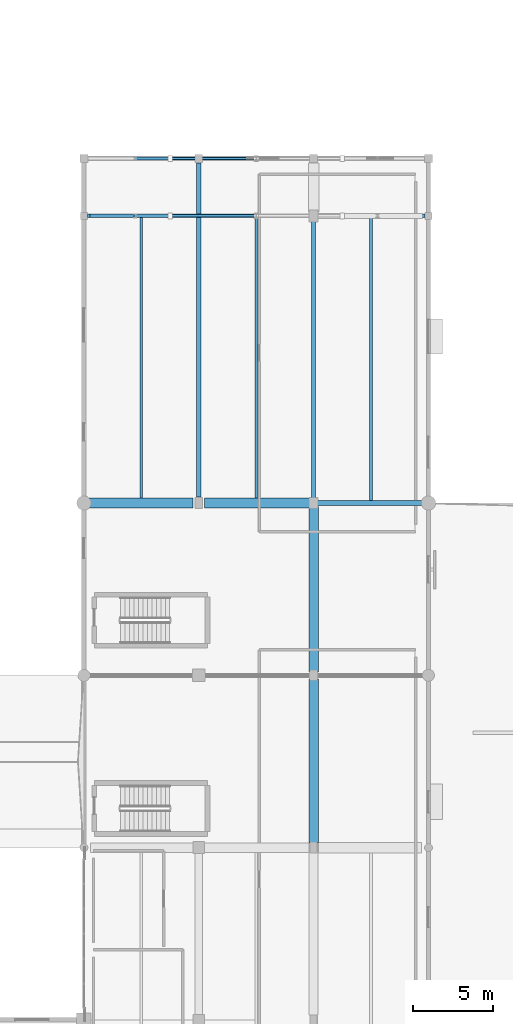
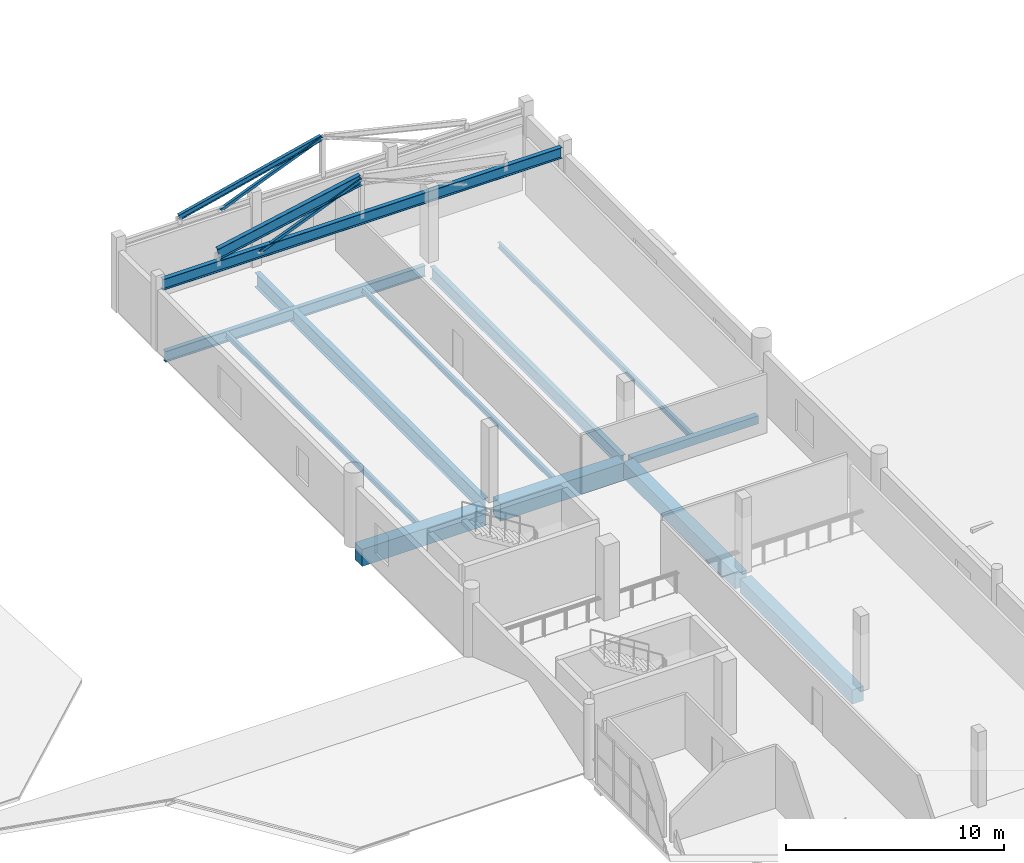
# One storey, part 37 of 90: 14 beams, 2 members.
"""IFC4 building model written with IfcOpenShell, lengths in metres."""

import ifcopenshell
import ifcopenshell.guid

model = None  # the IFC model being written
_history = None  # IfcOwnerHistory: only IFC2X3 demands one
_inside = {}  # id of a spatial element -> (the spatial element, [elements in it])
_under = {}  # id of a project, library or spatial element -> (it, [spatial elements below it])
_declared = {}  # id of a project -> (the project, [libraries it declares])
_typed = {}  # id of a type object -> (the type object, [elements of that type])
_made_of = {}  # id of a material, layer set ... -> (it, [elements and type objects made of it])


def new_model(schema):
    """Start an empty IFC model of exactly this schema.

    Asked for "IFC4X3", IfcOpenShell would pick the latest addendum, in which some entities
    have other attributes; the version numbers below select the first issue.
    IFC2X3 requires an IfcOwnerHistory on every rooted entity: one is made here for all.
    """
    global model, _history
    if schema == "IFC4X3":
        model = ifcopenshell.file(schema_version=(4, 3, 0, 0))
    else:
        model = ifcopenshell.file(schema=schema)
    _inside.clear()
    _under.clear()
    _declared.clear()
    _typed.clear()
    _made_of.clear()
    _history = None
    if model.schema == "IFC2X3":
        org = make("IfcOrganization", Name="unknown")
        user = make(
            "IfcPersonAndOrganization",
            ThePerson=make("IfcPerson", FamilyName="unknown"),
            TheOrganization=org,
        )
        app = make(
            "IfcApplication",
            ApplicationDeveloper=org,
            Version="unknown",
            ApplicationFullName="unknown",
            ApplicationIdentifier="unknown",
        )
        _history = make(
            "IfcOwnerHistory",
            OwningUser=user,
            OwningApplication=app,
            ChangeAction="ADDED",
            CreationDate=0,
        )
    return model


def make(cls, **values):
    """One entity of the class cls with the attributes given. An attribute that is None is left unset."""
    return model.create_entity(
        cls, **{name: value for name, value in values.items() if value is not None}
    )


def rooted(cls, **values):
    """An entity with a GlobalId (a new one), such as an element, a storey or a relation."""
    return make(cls, GlobalId=ifcopenshell.guid.new(), OwnerHistory=_history, **values)


def si_unit(unit_type, name, prefix=None):
    """IfcSIUnit, for example si_unit("LENGTHUNIT", "METRE", prefix="MILLI")."""
    return make("IfcSIUnit", UnitType=unit_type, Prefix=prefix, Name=name)


def assignment(units):
    """IfcUnitAssignment: the units of a project."""
    return None if units is None else make("IfcUnitAssignment", Units=units)


def point(xyz):
    """IfcCartesianPoint."""
    return None if xyz is None else make("IfcCartesianPoint", Coordinates=xyz)


def direction(xyz):
    """IfcDirection."""
    return None if xyz is None else make("IfcDirection", DirectionRatios=xyz)


def frame(location, z_axis=None, x_axis=None):
    """IfcAxis2Placement3D, a coordinate frame: its origin and axes. An axis left out is left unset."""
    return make(
        "IfcAxis2Placement3D",
        Location=point(location),
        Axis=direction(z_axis),
        RefDirection=direction(x_axis),
    )


def frame_2d(location, x_axis=None):
    """IfcAxis2Placement2D, a coordinate frame in the plane: its origin and x axis."""
    return make(
        "IfcAxis2Placement2D", Location=point(location), RefDirection=direction(x_axis)
    )


def origin():
    """The frame at (0, 0, 0) with its axes left unset."""
    return frame((0.0, 0.0, 0.0))


def origin_2d():
    """The frame at (0, 0) in the plane with its x axis left unset."""
    return frame_2d((0.0, 0.0))


def place(relative_to, where):
    """IfcLocalPlacement: puts the frame where relative to a parent placement (None: the world)."""
    return make(
        "IfcLocalPlacement", PlacementRelTo=relative_to, RelativePlacement=where
    )


def context(
    kind, dimensions, precision=None, world=None, true_north=None, identifier=None
):
    """IfcGeometricRepresentationContext, for example the 3D "Model" context."""
    return make(
        "IfcGeometricRepresentationContext",
        ContextIdentifier=identifier,
        ContextType=kind,
        CoordinateSpaceDimension=dimensions,
        Precision=precision,
        WorldCoordinateSystem=world,
        TrueNorth=true_north,
    )


def subcontext(parent, identifier, kind, view, scale=None):
    """IfcGeometricRepresentationSubContext, for example "Body" below "Model"."""
    return make(
        "IfcGeometricRepresentationSubContext",
        ContextIdentifier=identifier,
        ContextType=kind,
        ParentContext=parent,
        TargetScale=scale,
        TargetView=view,
    )


def project(units=None, contexts=None):
    """IfcProject with its units and contexts."""
    return rooted(
        "IfcProject",
        Name="project",
        RepresentationContexts=contexts,
        UnitsInContext=assignment(units),
    )


def spatial(cls, under=None, at=None, **own):
    """A site, building, storey or space (cls), placed at a placement, below another one or the project."""
    s = rooted(cls, ObjectPlacement=at, **own)
    if under is not None:
        _under.setdefault(under.id(), (under, []))[1].append(s)
    return s


def profile(cls, at=None, kind="AREA", **sizes):
    """A parametric profile (cls). Its sizes go by their IFC names, for example OverallWidth=200.0."""
    return make(cls, ProfileType=kind, Position=at, **sizes)


def rectangle(**sizes):
    """IfcRectangleProfileDef."""
    return profile("IfcRectangleProfileDef", **sizes)


def hollow_rectangle(**sizes):
    """IfcRectangleHollowProfileDef."""
    return profile("IfcRectangleHollowProfileDef", **sizes)


def i_section(**sizes):
    """IfcIShapeProfileDef."""
    return profile("IfcIShapeProfileDef", **sizes)


def extrude(swept, where, along, depth):
    """IfcExtrudedAreaSolid: the profile swept, set in the frame where, extruded along a direction by depth."""
    return make(
        "IfcExtrudedAreaSolid",
        SweptArea=swept,
        Position=where,
        ExtrudedDirection=direction(along),
        Depth=depth,
    )


def shape(context_of_items, identifier, shape_type, items):
    """IfcShapeRepresentation: the items that make up one representation, for example the "Body"."""
    return make(
        "IfcShapeRepresentation",
        ContextOfItems=context_of_items,
        RepresentationIdentifier=identifier,
        RepresentationType=shape_type,
        Items=items,
    )


def material(Name=None, Category=None):
    """IfcMaterial."""
    return make("IfcMaterial", Name=Name, Category=Category)


def material_profile(
    of_material, cross_section, Name=None, Category=None, Priority=None
):
    """IfcMaterialProfile: a cross section and its material."""
    return make(
        "IfcMaterialProfile",
        Name=Name,
        Material=of_material,
        Profile=cross_section,
        Priority=Priority,
        Category=Category,
    )


def profile_set(profiles, Name=None, composite=None):
    """IfcMaterialProfileSet."""
    return make(
        "IfcMaterialProfileSet",
        Name=Name,
        MaterialProfiles=profiles,
        CompositeProfile=composite,
    )


def made_of(thing, what):
    """Note that an element or type object is made of a material, layer set ...; save() writes the relation."""
    if what is not None:
        _made_of.setdefault(what.id(), (what, []))[1].append(thing)
    return thing


def type_object(cls, material=None, **own):
    """A type object (cls), such as IfcWallType, which elements share."""
    return made_of(rooted(cls, **own), material)


def element(
    cls,
    number,
    at=None,
    inside=None,
    cuts=None,
    type_object=None,
    material=None,
    context=None,
    identifier="Body",
    shape_type=None,
    held_by="IfcProductDefinitionShape",
    body=None,
    shapes=None,
    **own,
):
    """One element of the class cls, such as IfcWall. Its Tag is "e" and its number.

    at: its placement. inside: the storey or other place that contains it. cuts: it is an
    opening in that element (IfcRelVoidsElement). A single representation is given by context,
    identifier, shape_type and body (its items); several are given by shapes. held_by: the class
    of the entity that holds the representations. save() writes the other relations.
    """
    e = rooted(cls, Tag="e%d" % number, ObjectPlacement=at, **own)
    if body is not None:
        shapes = [shape(context, identifier, shape_type, body)]
    if shapes is not None:
        e.Representation = make(held_by, Representations=shapes)
    if inside is not None:
        _inside.setdefault(inside.id(), (inside, []))[1].append(e)
    if cuts is not None:
        rooted(
            "IfcRelVoidsElement", RelatingBuildingElement=cuts, RelatedOpeningElement=e
        )
    if type_object is not None:
        _typed.setdefault(type_object.id(), (type_object, []))[1].append(e)
    return made_of(e, material)


def aggregate(whole, parts):
    """IfcRelAggregates: a whole, such as a stair, and the parts it consists of."""
    return rooted("IfcRelAggregates", RelatingObject=whole, RelatedObjects=parts)


def save(model, path):
    """Write the relations noted so far, then the file.

    IfcRelAggregates (storeys below a building ...), IfcRelContainedInSpatialStructure (elements
    in a storey), IfcRelDefinesByType, IfcRelAssociatesMaterial and IfcRelDeclares: one each for
    every whole, place, type object, material and project.
    """
    for whole, parts in _under.values():
        aggregate(whole, parts)
    for where, things in _inside.values():
        rooted(
            "IfcRelContainedInSpatialStructure",
            RelatedElements=things,
            RelatingStructure=where,
        )
    for kind, things in _typed.values():
        rooted("IfcRelDefinesByType", RelatedObjects=things, RelatingType=kind)
    for what, things in _made_of.values():
        rooted("IfcRelAssociatesMaterial", RelatedObjects=things, RelatingMaterial=what)
    for by, libraries in _declared.values():
        rooted("IfcRelDeclares", RelatingContext=by, RelatedDefinitions=libraries)
    model.write(path)


model = new_model("IFC4")

# Units and contexts
model_context = context("Model", 3, precision=1e-05, world=origin(), true_north=direction((0.0, 1.0)))
body_context = subcontext(model_context, "Body", "Model", "MODEL_VIEW")
ifc_project = project(units=[si_unit("LENGTHUNIT", "METRE"), si_unit("AREAUNIT", "SQUARE_METRE"), si_unit("VOLUMEUNIT", "CUBIC_METRE"), si_unit("PLANEANGLEUNIT", "RADIAN"), si_unit("MASSUNIT", "GRAM", prefix="KILO")], contexts=[model_context])

# Site, building, storey
site_placement = place(None, origin())
site = spatial("IfcSite", under=ifc_project, at=site_placement, CompositionType="ELEMENT")
building_placement = place(site_placement, origin())
building = spatial("IfcBuilding", under=site, at=building_placement, Name="Solanera Park Tramway Depot", CompositionType="ELEMENT")
storey_placement = place(building_placement, frame((0.0, 0.0, 9.0)))
storey = spatial("IfcBuildingStorey", under=building, at=storey_placement, Name="L02", CompositionType="ELEMENT", Elevation=9.0)

# Beams
ifc_material_1 = material(Name="Concrete N40 (C40/50)", Category="concrete")
ifc_material_profile_1 = material_profile(ifc_material_1, rectangle(XDim=0.300048828125, YDim=0.449951171875, at=origin_2d()), Name="RCB 300x450")
ifc_profile_set_1 = profile_set([ifc_material_profile_1], Name="Concrete N40 (C40/50)")
beam_type_1 = type_object("IfcBeamType", Name="RC Floor Beam RCB 300x450", PredefinedType="BEAM", material=ifc_profile_set_1)
beam_1_placement = place(storey_placement, frame((180.22509765625, 64.800048828125, -0.50390625), z_axis=(1.0, 0.0, 0.0), x_axis=(0.0, 1.0, 0.0)))
element("IfcBeam", 1, at=beam_1_placement, inside=storey, type_object=beam_type_1, Name="L02 Primary X-Girder RCB 300x450 #0138", PredefinedType="BEAM", context=body_context, shape_type="SweptSolid", body=[
    extrude(rectangle(XDim=0.300048828125, YDim=0.449951171875, at=origin_2d()), origin(), (0.0, 0.0, 1.0), 6.724853515625),
])
ifc_material_2 = material(Name="Concrete N40 (C40/50)", Category="concrete")
ifc_material_profile_2 = material_profile(ifc_material_2, rectangle(XDim=0.60009765625, YDim=0.800048828125, at=origin_2d()), Name="RCB 600x800")
ifc_profile_set_2 = profile_set([ifc_material_profile_2], Name="Concrete N40 (C40/50)")
beam_type_2 = type_object("IfcBeamType", Name="RC Floor Beam RCB 600x800", PredefinedType="BEAM", material=ifc_profile_set_2)
beam_2_placement = place(storey_placement, frame((180.0, 43.5, -0.678955078125), z_axis=(0.0, 1.0, 0.0), x_axis=(-1.0, 0.0, 0.0)))
element("IfcBeam", 2, at=beam_2_placement, inside=storey, type_object=beam_type_2, Name="L02 Primary Y-Girder RCB 600x800 #0156", PredefinedType="BEAM", context=body_context, shape_type="SweptSolid", body=[
    extrude(rectangle(XDim=0.60009765625, YDim=0.800048828125, at=origin_2d()), origin(), (0.0, 0.0, 1.0), 10.27490234375),
])
ifc_material_3 = material(Name="Concrete N40 (C40/50)", Category="concrete")
ifc_material_profile_3 = material_profile(ifc_material_3, rectangle(XDim=0.60009765625, YDim=0.85009765625, at=origin_2d()), Name="RCB 600x850")
ifc_profile_set_3 = profile_set([ifc_material_profile_3], Name="Concrete N40 (C40/50)")
beam_type_3 = type_object("IfcBeamType", Name="RC Floor Beam RCB 600x850", PredefinedType="BEAM", material=ifc_profile_set_3)
beam_3_placement = place(storey_placement, frame((180.0, 54.22509765625, -0.7041015625), z_axis=(0.0, 1.0, 0.0), x_axis=(-1.0, 0.0, 0.0)))
element("IfcBeam", 3, at=beam_3_placement, inside=storey, type_object=beam_type_3, Name="L02 Primary Y-Girder RCB 600x850 #0157", PredefinedType="BEAM", context=body_context, shape_type="SweptSolid", body=[
    extrude(rectangle(XDim=0.60009765625, YDim=0.85009765625, at=origin_2d()), origin(), (0.0, 0.0, 1.0), 10.349853515625),
])
ifc_material_4 = material(Name="Concrete N40 (C40/50)", Category="concrete")
ifc_material_profile_4 = material_profile(ifc_material_4, rectangle(XDim=0.64990234375, YDim=1.0, at=origin_2d()), Name="RCB 650x1000")
ifc_profile_set_4 = profile_set([ifc_material_profile_4], Name="Concrete N40 (C40/50)")
beam_type_4 = type_object("IfcBeamType", Name="RC Floor Beam RCB 650x1000", PredefinedType="BEAM", material=ifc_profile_set_4)
beam_4_placement = place(storey_placement, frame((173.175048828125, 64.800048828125, -0.779052734375), z_axis=(1.0, 0.0, 0.0), x_axis=(0.0, 1.0, 0.0)))
element("IfcBeam", 4, at=beam_4_placement, inside=storey, type_object=beam_type_4, Name="L02 Primary X-Girder RCB 650x1000 #0137", PredefinedType="BEAM", context=body_context, shape_type="SweptSolid", body=[
    extrude(rectangle(XDim=0.64990234375, YDim=1.0, at=origin_2d()), origin(), (0.0, 0.0, 1.0), 6.599853515625),
])
ifc_material_5 = material(Name="Concrete N40 (C40/50)", Category="concrete")
ifc_material_profile_5 = material_profile(ifc_material_5, rectangle(XDim=0.64990234375, YDim=0.949951171875, at=origin_2d()), Name="RCB 650x950")
ifc_profile_set_5 = profile_set([ifc_material_profile_5], Name="Concrete N40 (C40/50)")
beam_type_5 = type_object("IfcBeamType", Name="RC Floor Beam RCB 650x950", PredefinedType="BEAM", material=ifc_profile_set_5)
beam_5_placement = place(storey_placement, frame((165.85009765625, 64.800048828125, -0.75390625), z_axis=(1.0, 0.0, 0.0), x_axis=(0.0, 1.0, 0.0)))
element("IfcBeam", 5, at=beam_5_placement, inside=storey, type_object=beam_type_5, Name="L02 Primary X-Girder RCB 650x950 #0136", PredefinedType="BEAM", context=body_context, shape_type="SweptSolid", body=[
    extrude(rectangle(XDim=0.64990234375, YDim=0.949951171875, at=origin_2d()), origin(), (0.0, 0.0, 1.0), 6.574951171875),
])
ifc_material_6 = material(Name="Steel AS/NZS 3679.1 Grade 350", Category="steel")
ifc_material_profile_6 = material_profile(ifc_material_6, i_section(OverallWidth=0.1650390625, OverallDepth=0.3037109375, WebThickness=0.006103515625, FlangeThickness=0.01025390625, at=origin_2d()), Name="310UB40.4")
ifc_profile_set_6 = profile_set([ifc_material_profile_6], Name="Steel AS/NZS 3679.1 Grade 350")
beam_type_6 = type_object("IfcBeamType", Name="Steel Beam 310UB40.4", PredefinedType="BEAM", material=ifc_profile_set_6)
beam_6_placement = place(storey_placement, frame((168.800048828125, 86.39990234375, 4.011962890625), z_axis=(0.971979885496, 0.0, 0.235064038491), x_axis=(0.0, 1.0, 0.0)))
element("IfcBeam", 6, at=beam_6_placement, inside=storey, type_object=beam_type_6, Name="L02 Hip ROOF TRUSS Rafter 310UB40.4 #1102", PredefinedType="BEAM", context=body_context, shape_type="SweptSolid", body=[
    extrude(i_section(OverallWidth=0.1650390625, OverallDepth=0.3037109375, WebThickness=0.006103515625, FlangeThickness=0.01025390625, at=origin_2d()), origin(), (0.0, 0.0, 1.0), 7.75732421875),
])
ifc_material_7 = material(Name="Steel AS/NZS 3679.1 Grade 350", Category="steel")
ifc_material_profile_7 = material_profile(ifc_material_7, i_section(OverallWidth=0.22900390625, OverallDepth=0.611572265625, WebThickness=0.011962890625, FlangeThickness=0.01953125, at=origin_2d()), Name="610UB125")
ifc_profile_set_7 = profile_set([ifc_material_profile_7], Name="Steel AS/NZS 3679.1 Grade 350")
beam_type_7 = type_object("IfcBeamType", Name="Steel Beam 610UB125", PredefinedType="BEAM", material=ifc_profile_set_7)
beam_7_placement = place(storey_placement, frame((165.97509765625, 82.800048828125, -0.584716796875), z_axis=(1.0, 0.0, 0.0), x_axis=(0.0, 1.0, 0.0)))
element("IfcBeam", 7, at=beam_7_placement, inside=storey, type_object=beam_type_7, Name="L02 Primary X-Girder 610UB125 #0139", PredefinedType="BEAM", context=body_context, shape_type="SweptSolid", body=[
    extrude(i_section(OverallWidth=0.22900390625, OverallDepth=0.611572265625, WebThickness=0.011962890625, FlangeThickness=0.01953125, at=origin_2d()), origin(), (0.0, 0.0, 1.0), 13.77490234375),
])
beam_8_placement = place(storey_placement, frame((165.824951171875, 82.800048828125, 3.494140625), z_axis=(1.0, 0.0, 0.0), x_axis=(0.0, 1.0, 0.0)))
element("IfcBeam", 8, at=beam_8_placement, inside=storey, type_object=beam_type_7, Name="L02 Hip ROOF TRUSS Tie 610UB125 #1098", PredefinedType="BEAM", context=body_context, shape_type="SweptSolid", body=[
    extrude(i_section(OverallWidth=0.22900390625, OverallDepth=0.611572265625, WebThickness=0.011962890625, FlangeThickness=0.01953125, at=origin_2d()), origin(), (0.0, 0.0, 1.0), 21.150146484375),
])
beam_9_placement = place(storey_placement, frame((168.800048828125, 82.800048828125, 4.165771484375), z_axis=(0.980383614134, 0.0, 0.197098881627), x_axis=(0.0, 1.0, 0.0)))
element("IfcBeam", 9, at=beam_9_placement, inside=storey, type_object=beam_type_7, Name="L02 Hip ROOF TRUSS Rafter 610UB125 #1099", PredefinedType="BEAM", context=body_context, shape_type="SweptSolid", body=[
    extrude(i_section(OverallWidth=0.22900390625, OverallDepth=0.611572265625, WebThickness=0.011962890625, FlangeThickness=0.01953125, at=origin_2d()), origin(), (0.0, 0.0, 1.0), 7.69091796875),
])
ifc_material_8 = material(Name="Steel AS/NZS 3679.1 Grade 350", Category="steel")
ifc_material_profile_8 = material_profile(ifc_material_8, i_section(OverallWidth=0.25, OverallDepth=0.699951171875, WebThickness=0.010009765625, FlangeThickness=0.02001953125, at=origin_2d()), Name="700WB130")
ifc_profile_set_8 = profile_set([ifc_material_profile_8], Name="Steel AS/NZS 3679.1 Grade 350")
beam_type_8 = type_object("IfcBeamType", Name="Steel Beam 700WB130", PredefinedType="BEAM", material=ifc_profile_set_8)
beam_10_placement = place(storey_placement, frame((180.0, 65.02490234375, -0.62890625), z_axis=(0.0, 1.0, 0.0), x_axis=(-1.0, 0.0, 0.0)))
element("IfcBeam", 10, at=beam_10_placement, inside=storey, type_object=beam_type_8, Name="L02 Primary Y-Girder 700WB130 #0158", PredefinedType="BEAM", context=body_context, shape_type="SweptSolid", body=[
    extrude(i_section(OverallWidth=0.25, OverallDepth=0.699951171875, WebThickness=0.010009765625, FlangeThickness=0.02001953125, at=origin_2d()), origin(), (0.0, 0.0, 1.0), 17.525146484375),
])
ifc_material_9 = material(Name="Steel AS/NZS 3679.1 Grade 350", Category="steel")
ifc_material_profile_9 = material_profile(ifc_material_9, i_section(OverallWidth=0.27490234375, OverallDepth=0.800048828125, WebThickness=0.010009765625, FlangeThickness=0.02001953125, at=origin_2d()), Name="800WB146")
ifc_profile_set_9 = profile_set([ifc_material_profile_9], Name="Steel AS/NZS 3679.1 Grade 350")
beam_type_9 = type_object("IfcBeamType", Name="Steel Beam 800WB146", PredefinedType="BEAM", material=ifc_profile_set_9)
beam_11_placement = place(storey_placement, frame((172.800048828125, 65.175048828125, -0.678955078125), z_axis=(0.0, 1.0, 0.0), x_axis=(-1.0, 0.0, 0.0)))
element("IfcBeam", 11, at=beam_11_placement, inside=storey, type_object=beam_type_9, Name="L02 Primary Y-Girder 800WB146 #0154", PredefinedType="BEAM", context=body_context, shape_type="SweptSolid", body=[
    extrude(i_section(OverallWidth=0.27490234375, OverallDepth=0.800048828125, WebThickness=0.010009765625, FlangeThickness=0.02001953125, at=origin_2d()), origin(), (0.0, 0.0, 1.0), 20.949951171875),
])
ifc_material_10 = material(Name="Steel AS/NZS 3679.1 Grade 350", Category="steel")
ifc_material_profile_10 = material_profile(ifc_material_10, i_section(OverallWidth=0.1650390625, OverallDepth=0.3037109375, WebThickness=0.006103515625, FlangeThickness=0.01025390625, at=origin_2d()), Name="310UB40.4")
ifc_profile_set_10 = profile_set([ifc_material_profile_10], Name="Steel AS/NZS 3679.1 Grade 350")
beam_type_10 = type_object("IfcBeamType", Name="Steel Joist Purlin 310UB40.4", PredefinedType="JOIST", material=ifc_profile_set_10)
for number, where, z_axis, x_axis, name in (
    (12, (169.199951171875, 65.116943359375, -0.430908203125), (0.0, 1.0, 0.0), (-1.0, 0.0, 0.0), "L02 Secondary Floor Joist 310UB40.4 #0192"),
    (13, (176.39990234375, 65.116943359375, -0.430908203125), (0.0, 1.0, 0.0), (-1.0, 0.0, 0.0), "L02 Secondary Floor Joist 310UB40.4 #0193"),
):
    element("IfcBeam", number, at=place(storey_placement, frame(where, z_axis=z_axis, x_axis=x_axis)), inside=storey, type_object=beam_type_10, Name=name, PredefinedType="JOIST", context=body_context, shape_type="SweptSolid", body=[
        extrude(i_section(OverallWidth=0.1650390625, OverallDepth=0.3037109375, WebThickness=0.006103515625, FlangeThickness=0.01025390625, at=origin_2d()), origin(), (0.0, 0.0, 1.0), 17.57666015625),
    ])
beam_12_placement = place(storey_placement, frame((183.60009765625, 64.94189453125, -0.430908203125), z_axis=(0.0, 1.0, 0.0), x_axis=(-1.0, 0.0, 0.0)))
element("IfcBeam", 14, at=beam_12_placement, inside=storey, type_object=beam_type_10, Name="L02 Secondary Floor Joist 310UB40.4 #0194", PredefinedType="JOIST", context=body_context, shape_type="SweptSolid", body=[
    extrude(i_section(OverallWidth=0.1650390625, OverallDepth=0.3037109375, WebThickness=0.006103515625, FlangeThickness=0.01025390625, at=origin_2d()), origin(), (0.0, 0.0, 1.0), 17.716064453125),
])

# Members
ifc_material_11 = material(Name="Steel AS/NZS 1163 Grade C350L0", Category="steel")
ifc_material_profile_11 = material_profile(ifc_material_11, hollow_rectangle(XDim=0.14990234375, YDim=0.14990234375, WallThickness=0.006103515625, at=origin_2d()), Name="150x150x6.0 SHS")
ifc_profile_set_11 = profile_set([ifc_material_profile_11], Name="Steel AS/NZS 1163 Grade C350L0")
member_type = type_object("IfcMemberType", Name="Truss and Frame Brace 150x150x6.0 SHS", PredefinedType="BRACE", material=ifc_profile_set_11)
for number, where, z_axis, x_axis, name in (
    (15, (171.0, 82.800048828125, 3.494140625), (0.926837819051, 0.0, 0.37546192507), (0.0, 1.0, 0.0), "Hip ROOF TRUSS Web #0473"),
    (16, (171.0, 86.39990234375, 3.648193359375), (0.926852400932, 0.0, 0.375425927297), (0.0, 1.0, 0.0), "Hip ROOF TRUSS Web #0475"),
):
    element("IfcMember", number, at=place(storey_placement, frame(where, z_axis=z_axis, x_axis=x_axis)), inside=storey, type_object=member_type, Name=name, PredefinedType="BRACE", context=body_context, shape_type="SweptSolid", body=[
        extrude(hollow_rectangle(XDim=0.14990234375, YDim=0.14990234375, WallThickness=0.006103515625, at=origin_2d()), origin(), (0.0, 0.0, 1.0), 5.826171875),
    ])

save(model, "model.ifc")
